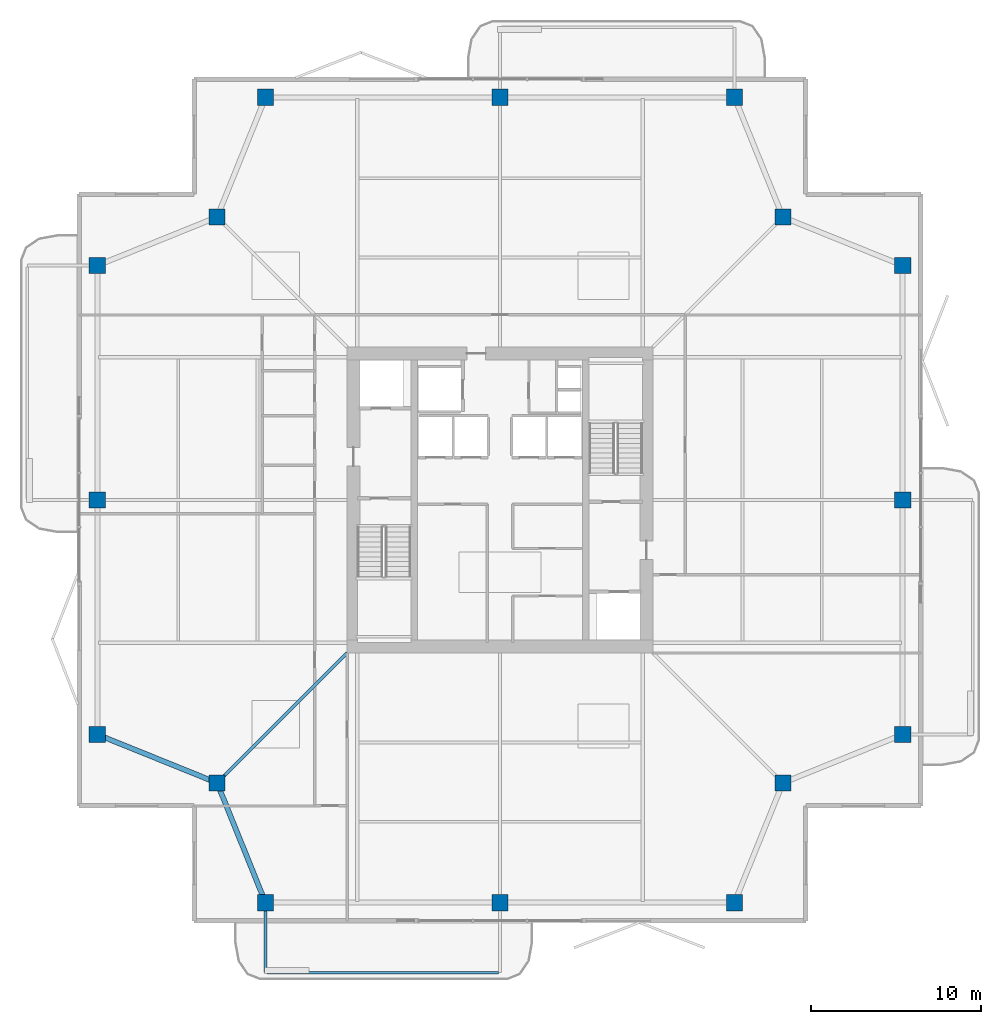
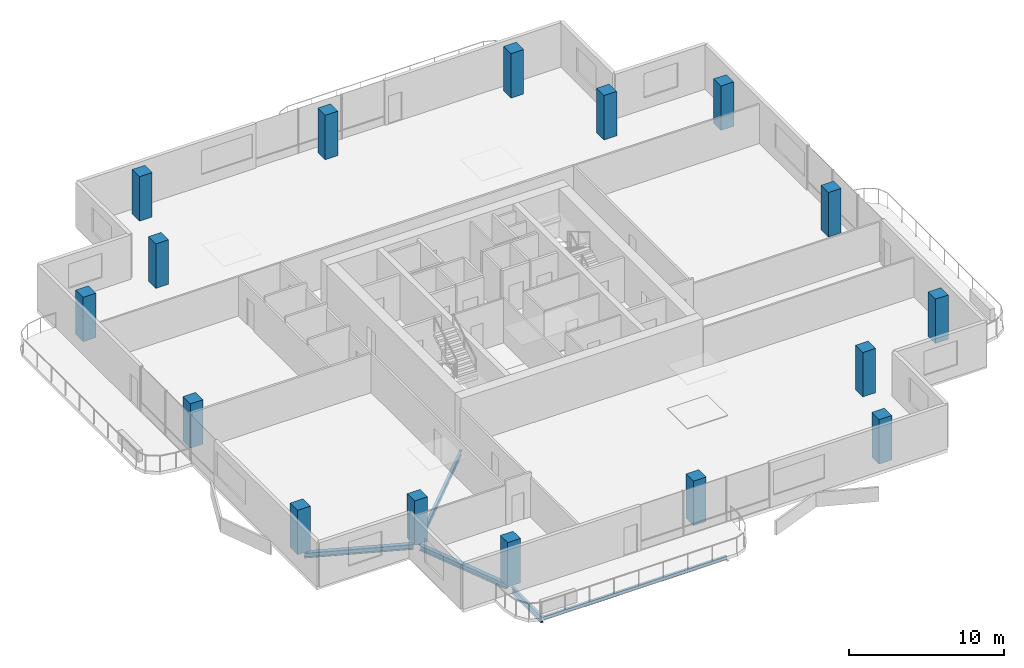
# One storey, part 1 of 23: 16 columns, 5 beams.
"""IFC4 building model written with IfcOpenShell, lengths in metres."""

from ifc_helpers import new_model, si_unit, direction, frame, origin, origin_2d, place, context, subcontext, project, spatial, rectangle, i_section, extrude, material, material_profile, profile_set, type_object, element, save


model = new_model("IFC4")

# Units and contexts
model_context = context("Model", 3, precision=1e-05, world=origin(), true_north=direction((0.0, 1.0)))
body_context = subcontext(model_context, "Body", "Model", "MODEL_VIEW")
ifc_project = project(units=[si_unit("LENGTHUNIT", "METRE"), si_unit("AREAUNIT", "SQUARE_METRE"), si_unit("VOLUMEUNIT", "CUBIC_METRE"), si_unit("PLANEANGLEUNIT", "RADIAN"), si_unit("MASSUNIT", "GRAM", prefix="KILO")], contexts=[model_context])

# Site, building, storey
site_placement = place(None, origin())
site = spatial("IfcSite", under=ifc_project, at=site_placement, CompositionType="ELEMENT")
building_placement = place(site_placement, origin())
building = spatial("IfcBuilding", under=site, at=building_placement, Name="Belovzor Exchange Tower", CompositionType="ELEMENT")
storey_placement = place(building_placement, frame((0.0, 0.0, 276.60009765625)))
storey = spatial("IfcBuildingStorey", under=building, at=storey_placement, Name="L69", CompositionType="ELEMENT", Elevation=276.60009765625)

# Columns
ifc_material_1 = material(Name="Concrete C50/60", Category="concrete")
ifc_material_profile_1 = material_profile(ifc_material_1, rectangle(XDim=0.949951171875, YDim=0.949951171875, at=origin_2d()))
ifc_profile_set_1 = profile_set([ifc_material_profile_1], Name="Concrete C50/60")
column_type = type_object("IfcColumnType", Name="Reinforced Concrete Tower Column 950x950", PredefinedType="COLUMN", material=ifc_profile_set_1)
for number, where, z_axis, x_axis, name in (
    (1, (15.0, 5.10009765625, 0.0029296875), (0.0, 0.0, 1.0), (1.0, 0.0, 0.0), "COL-T095 Reinforced Concrete Tower Column 950x950"),
    (2, (28.800048828125, 5.10009765625, 0.0029296875), (0.0, 0.0, 1.0), (1.0, 0.0, 0.0), "COL-T095 Reinforced Concrete Tower Column 950x950"),
    (3, (42.60009765625, 5.10009765625, 0.0029296875), (0.0, 0.0, 1.0), (1.0, 0.0, 0.0), "COL-T095 Reinforced Concrete Tower Column 950x950"),
    (4, (52.5, 15.0, 0.0029296875), (0.0, 0.0, 1.0), (1.0, 0.0, 0.0), "COL-T095 Reinforced Concrete Tower Column 950x950"),
    (5, (52.5, 28.800048828125, 0.0029296875), (0.0, 0.0, 1.0), (1.0, 0.0, 0.0), "COL-T095 Reinforced Concrete Tower Column 950x950"),
    (6, (52.5, 42.60009765625, 0.0029296875), (0.0, 0.0, 1.0), (1.0, 0.0, 0.0), "COL-T095 Reinforced Concrete Tower Column 950x950"),
    (7, (42.60009765625, 52.5, 0.0029296875), (0.0, 0.0, 1.0), (1.0, 0.0, 0.0), "COL-T095 Reinforced Concrete Tower Column 950x950"),
    (8, (28.800048828125, 52.5, 0.0029296875), (0.0, 0.0, 1.0), (1.0, 0.0, 0.0), "COL-T095 Reinforced Concrete Tower Column 950x950"),
    (9, (15.0, 52.5, 0.0029296875), (0.0, 0.0, 1.0), (1.0, 0.0, 0.0), "COL-T095 Reinforced Concrete Tower Column 950x950"),
    (10, (5.10009765625, 42.60009765625, 0.0029296875), (0.0, 0.0, 1.0), (1.0, 0.0, 0.0), "COL-T095 Reinforced Concrete Tower Column 950x950"),
    (11, (5.10009765625, 28.800048828125, 0.0029296875), (0.0, 0.0, 1.0), (1.0, 0.0, 0.0), "COL-T095 Reinforced Concrete Tower Column 950x950"),
    (12, (5.10009765625, 15.0, 0.0029296875), (0.0, 0.0, 1.0), (1.0, 0.0, 0.0), "COL-T095 Reinforced Concrete Tower Column 950x950"),
    (13, (12.14990234375, 12.14990234375, 0.0029296875), (0.0, 0.0, 1.0), (1.0, 0.0, 0.0), "COL-T095 Reinforced Concrete Tower Column 950x950"),
    (14, (45.449951171875, 12.14990234375, 0.0029296875), (0.0, 0.0, 1.0), (1.0, 0.0, 0.0), "COL-T095 Reinforced Concrete Tower Column 950x950"),
    (15, (45.449951171875, 45.449951171875, 0.0029296875), (0.0, 0.0, 1.0), (1.0, 0.0, 0.0), "COL-T095 Reinforced Concrete Tower Column 950x950"),
    (16, (12.14990234375, 45.449951171875, 0.0029296875), (0.0, 0.0, 1.0), (1.0, 0.0, 0.0), "COL-T095 Reinforced Concrete Tower Column 950x950"),
):
    element("IfcColumn", number, at=place(storey_placement, frame(where, z_axis=z_axis, x_axis=x_axis)), inside=storey, type_object=column_type, Name=name, PredefinedType="COLUMN", context=body_context, shape_type="SweptSolid", body=[
        extrude(rectangle(XDim=0.949951171875, YDim=0.949951171875, at=origin_2d()), origin(), (0.0, 0.0, 1.0), 3.493896484375),
    ])

# Beams
ifc_material_2 = material(Name="Steel S355", Category="steel")
ifc_material_profile_2 = material_profile(ifc_material_2, i_section(OverallWidth=0.199951171875, OverallDepth=0.5, WebThickness=0.01025390625, FlangeThickness=0.01611328125, at=origin_2d()))
ifc_profile_set_2 = profile_set([ifc_material_profile_2], Name="Steel S355")
beam_type_1 = type_object("IfcBeamType", Name="Planted Balcony Cantilever Beam IPE 500", PredefinedType="BEAM", material=ifc_profile_set_2)
beam_1_placement = place(storey_placement, frame((15.0, 4.839111328125, -0.5), z_axis=(0.0, -1.0, 0.0), x_axis=(1.0, 0.0, 0.0)))
element("IfcBeam", 17, at=beam_1_placement, inside=storey, type_object=beam_type_1, Name="BC-500 Planted Balcony Cantilever Beam IPE 500", PredefinedType="BEAM", context=body_context, shape_type="SweptSolid", body=[
    extrude(i_section(OverallWidth=0.199951171875, OverallDepth=0.5, WebThickness=0.01025390625, FlangeThickness=0.01611328125, at=origin_2d()), origin(), (0.0, 0.0, 1.0), 3.85009765625),
])
ifc_material_3 = material(Name="Steel S355", Category="steel")
ifc_material_profile_3 = material_profile(ifc_material_3, i_section(OverallWidth=0.14990234375, OverallDepth=0.300048828125, WebThickness=0.007080078125, FlangeThickness=0.0107421875, at=origin_2d()))
ifc_profile_set_3 = profile_set([ifc_material_profile_3], Name="Steel S355")
beam_type_2 = type_object("IfcBeamType", Name="Planted Balcony Fascia Edge Beam IPE 300", PredefinedType="BEAM", material=ifc_profile_set_3)
beam_2_placement = place(storey_placement, frame((15.10009765625, 0.989013671875, -0.400146484375), z_axis=(1.0, 0.0, 0.0), x_axis=(0.0, 1.0, 0.0)))
element("IfcBeam", 18, at=beam_2_placement, inside=storey, type_object=beam_type_2, Name="BC-300 Planted Balcony Fascia Edge Beam IPE 300", PredefinedType="BEAM", context=body_context, shape_type="SweptSolid", body=[
    extrude(i_section(OverallWidth=0.14990234375, OverallDepth=0.300048828125, WebThickness=0.007080078125, FlangeThickness=0.0107421875, at=origin_2d()), origin(), (0.0, 0.0, 1.0), 13.599853515625),
])
ifc_material_4 = material(Name="Steel S355", Category="steel")
ifc_material_profile_4 = material_profile(ifc_material_4, i_section(OverallWidth=0.300048828125, OverallDepth=0.39990234375, WebThickness=0.013427734375, FlangeThickness=0.02392578125, at=origin_2d()))
ifc_profile_set_4 = profile_set([ifc_material_profile_4], Name="Steel S355")
beam_type_3 = type_object("IfcBeamType", Name="Zone 5 Primary Girder HEB 400", PredefinedType="BEAM", material=ifc_profile_set_4)
for number, where, z_axis, x_axis, name in (
    (19, (12.248046875, 11.907958984375, -0.4501953125), (0.374758283536, -0.927122553345, 0.0), (0.927122553345, 0.374758283536, 0.0), "FG-Z5 Zone 5 Primary Girder HEB 400"),
    (20, (5.342041015625, 14.902099609375, -0.4501953125), (0.927122553345, -0.374758283536, 0.0), (0.374758283536, 0.927122553345, 0.0), "FG-Z5 Zone 5 Primary Girder HEB 400"),
):
    element("IfcBeam", number, at=place(storey_placement, frame(where, z_axis=z_axis, x_axis=x_axis)), inside=storey, type_object=beam_type_3, Name=name, PredefinedType="BEAM", context=body_context, shape_type="SweptSolid", body=[
        extrude(i_section(OverallWidth=0.300048828125, OverallDepth=0.39990234375, WebThickness=0.013427734375, FlangeThickness=0.02392578125, at=origin_2d()), origin(), (0.0, 0.0, 1.0), 7.08203125),
    ])
ifc_material_5 = material(Name="Steel S355", Category="steel")
ifc_material_profile_5 = material_profile(ifc_material_5, i_section(OverallWidth=0.179931640625, OverallDepth=0.39990234375, WebThickness=0.008544921875, FlangeThickness=0.013427734375, at=origin_2d()))
ifc_profile_set_5 = profile_set([ifc_material_profile_5], Name="Steel S355")
beam_type_4 = type_object("IfcBeamType", Name="Zone 5-6 Radial Composite Floor Beam IPE 400", PredefinedType="BEAM", material=ifc_profile_set_5)
beam_3_placement = place(storey_placement, frame((19.800048828125, 19.800048828125, -0.4501953125), z_axis=(-0.707106781187, -0.707106781187, 0.0), x_axis=(0.707106781187, -0.707106781187, 0.0)))
element("IfcBeam", 21, at=beam_3_placement, inside=storey, type_object=beam_type_4, Name="FB-400 Zone 5-6 Radial Composite Floor Beam IPE 400", PredefinedType="BEAM", context=body_context, shape_type="SweptSolid", body=[
    extrude(i_section(OverallWidth=0.179931640625, OverallDepth=0.39990234375, WebThickness=0.008544921875, FlangeThickness=0.013427734375, at=origin_2d()), origin(), (0.0, 0.0, 1.0), 10.482421875),
])

save(model, "model.ifc")
